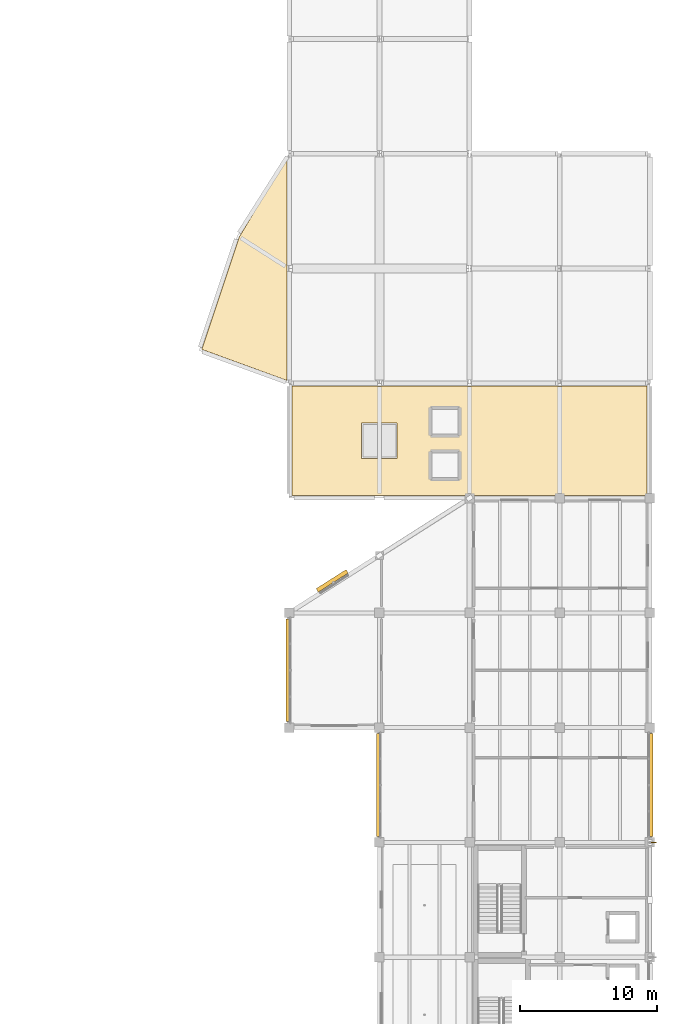
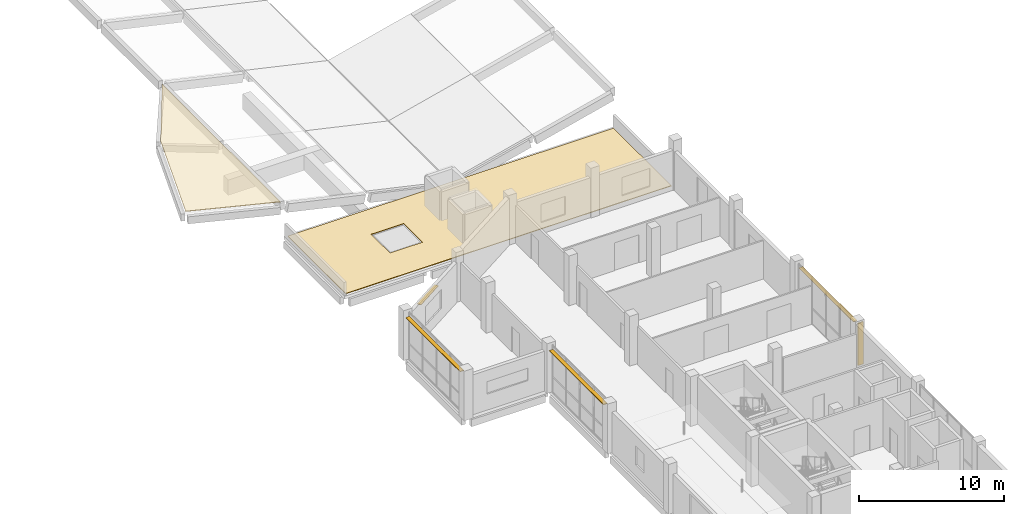
# One storey, part 46 of 47: 5 shading devices, 2 coverings.
"""IFC4 building model written with IfcOpenShell, lengths in metres."""

from ifc_helpers import new_model, si_unit, direction, frame, origin, origin_2d, place, context, subcontext, project, spatial, polyline, rectangle, outline, extrude, material, layer, layer_set, type_object, element, save


model = new_model("IFC4")

# Units and contexts
model_context = context("Model", 3, precision=1e-05, world=origin(), true_north=direction((0.0, 1.0)))
body_context = subcontext(model_context, "Body", "Model", "MODEL_VIEW")
ifc_project = project(units=[si_unit("LENGTHUNIT", "METRE"), si_unit("AREAUNIT", "SQUARE_METRE"), si_unit("VOLUMEUNIT", "CUBIC_METRE"), si_unit("PLANEANGLEUNIT", "RADIAN"), si_unit("MASSUNIT", "GRAM", prefix="KILO")], contexts=[model_context])

# Site, building, storey
site_placement = place(None, origin())
site = spatial("IfcSite", under=ifc_project, at=site_placement, CompositionType="ELEMENT")
building_placement = place(site_placement, origin())
building = spatial("IfcBuilding", under=site, at=building_placement, Name="Qaldarim Faculty of Natural and Applied Sciences", CompositionType="ELEMENT")
storey_placement = place(building_placement, frame((0.0, 0.0, 22.800048828125)))
storey = spatial("IfcBuildingStorey", under=building, at=storey_placement, Name="L05", CompositionType="ELEMENT", Elevation=22.800048828125)

# Coverings
ifc_material_1 = material(Name="Elastomeric bitumen roofing membrane")
ifc_layer_1 = layer(ifc_material_1, 0.050048828125)
ifc_layer_set_1 = layer_set([ifc_layer_1], Name="Elastomeric bitumen roofing membrane")
covering_type = type_object("IfcCoveringType", Name="MembraneRoofing-50", PredefinedType="ROOFING", material=ifc_layer_set_1)
covering_1_placement = place(storey_placement, frame((0.0, 0.0, 2.780029296875)))
element("IfcCovering", 1, at=covering_1_placement, inside=storey, type_object=covering_type, Name="Elastomeric roof waterproofing membrane V3 gallery prow L05", PredefinedType="ROOFING", context=body_context, shape_type="SweptSolid", body=[
    extrude(outline(polyline([(151.64990234375, 67.39990234375), (145.39990234375, 69.679931640625), (148.139892578125, 77.89990234375), (151.64990234375, 83.75), (151.64990234375, 67.39990234375)])), origin(), (0.0, 0.0, 1.0), 0.0498046875),
])
covering_2_placement = place(storey_placement, origin())
element("IfcCovering", 2, at=covering_2_placement, inside=storey, type_object=covering_type, Name="Elastomeric roof waterproofing membrane V3 Core L05", PredefinedType="ROOFING", context=body_context, shape_type="SweptSolid", body=[
    extrude(outline(polyline([(152.0, 59.0), (178.0, 59.0), (178.0, 67.0), (152.0, 67.0), (152.0, 59.0)]), holes=[polyline([(157.10009765625, 61.699951171875), (159.699951171875, 61.699951171875), (159.699951171875, 64.300048828125), (157.10009765625, 64.300048828125), (157.10009765625, 61.699951171875)])]), origin(), (0.0, 0.0, 1.0), 0.050048828125),
])

# Shading devices
ifc_material_2 = material(Name="Champagne anodised aluminium AW-6063", Category="aluminium")
ifc_layer_2 = layer(ifc_material_2, 0.050048828125)
ifc_layer_set_2 = layer_set([ifc_layer_2], Name="Champagne anodised aluminium AW-6063")
shading_device_type_1 = type_object("IfcShadingDeviceType", Name="SolarLouvre-ALU300x50", PredefinedType="JALOUSIE", material=ifc_layer_set_2)
for number, where, z_axis, x_axis, name in (
    (3, (151.72998046875, 46.199951171875, 3.60498046875), (0.0, 0.0, 1.0), (0.0, 1.0, 0.0), "Horizontal solar louvre L05 W X24Y06"),
    (4, (158.330078125, 37.800048828125, 3.60498046875), (0.0, 0.0, 1.0), (0.0, 1.0, 0.0), "Horizontal solar louvre L05 W X25Y05"),
    (5, (178.27001953125, 37.800048828125, 3.60498046875), (0.0, 0.0, 1.0), (0.0, 1.0, 0.0), "Horizontal solar louvre L05 E X27Y05"),
):
    element("IfcShadingDevice", number, at=place(storey_placement, frame(where, z_axis=z_axis, x_axis=x_axis)), inside=storey, type_object=shading_device_type_1, Name=name, PredefinedType="JALOUSIE", context=body_context, shape_type="SweptSolid", body=[
        extrude(rectangle(XDim=7.510009765625, YDim=0.300048828125, at=origin_2d()), origin(), (0.0, 0.0, 1.0), 0.050048828125),
    ])
shading_device_1_placement = place(storey_placement, frame((154.945068359375, 52.739990234375, 2.6748046875), z_axis=(0.0, 0.0, 1.0), x_axis=(0.843775713382, 0.536695952571, 0.0)))
element("IfcShadingDevice", 6, at=shading_device_1_placement, inside=storey, type_object=shading_device_type_1, Name="Oblique facade horizontal solar louvre SHD-OBL-NW-L05-1", PredefinedType="JALOUSIE", context=body_context, shape_type="SweptSolid", body=[
    extrude(rectangle(XDim=2.60009765625, YDim=0.300048828125, at=origin_2d()), origin(), (0.0, 0.0, 1.0), 0.050048828125),
])
ifc_layer_3 = layer(ifc_material_2, 0.06005859375)
ifc_layer_set_3 = layer_set([ifc_layer_3], Name="Champagne anodised aluminium AW-6063")
shading_device_type_2 = type_object("IfcShadingDeviceType", Name="VerticalSunFin-ALU450x60", PredefinedType="SHUTTER", material=ifc_layer_set_3)
shading_device_2_placement = place(storey_placement, frame((178.425048828125, 33.60009765625, 0.199951171875), z_axis=(0.0, 0.0, 1.0), x_axis=(1.0, 0.0, 0.0)))
element("IfcShadingDevice", 7, at=shading_device_2_placement, inside=storey, type_object=shading_device_type_2, Name="Tower solar fin FIN-V5E-L05-Y05", PredefinedType="SHUTTER", context=body_context, shape_type="SweptSolid", body=[
    extrude(rectangle(XDim=0.449951171875, YDim=0.06005859375, at=origin_2d()), origin(), (0.0, 0.0, 1.0), 3.580078125),
])

save(model, "model.ifc")
